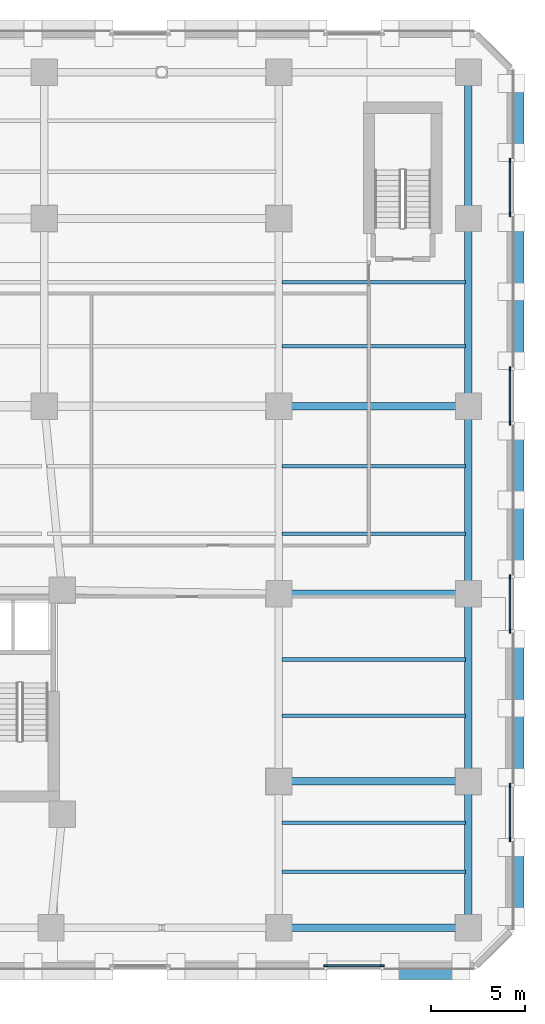
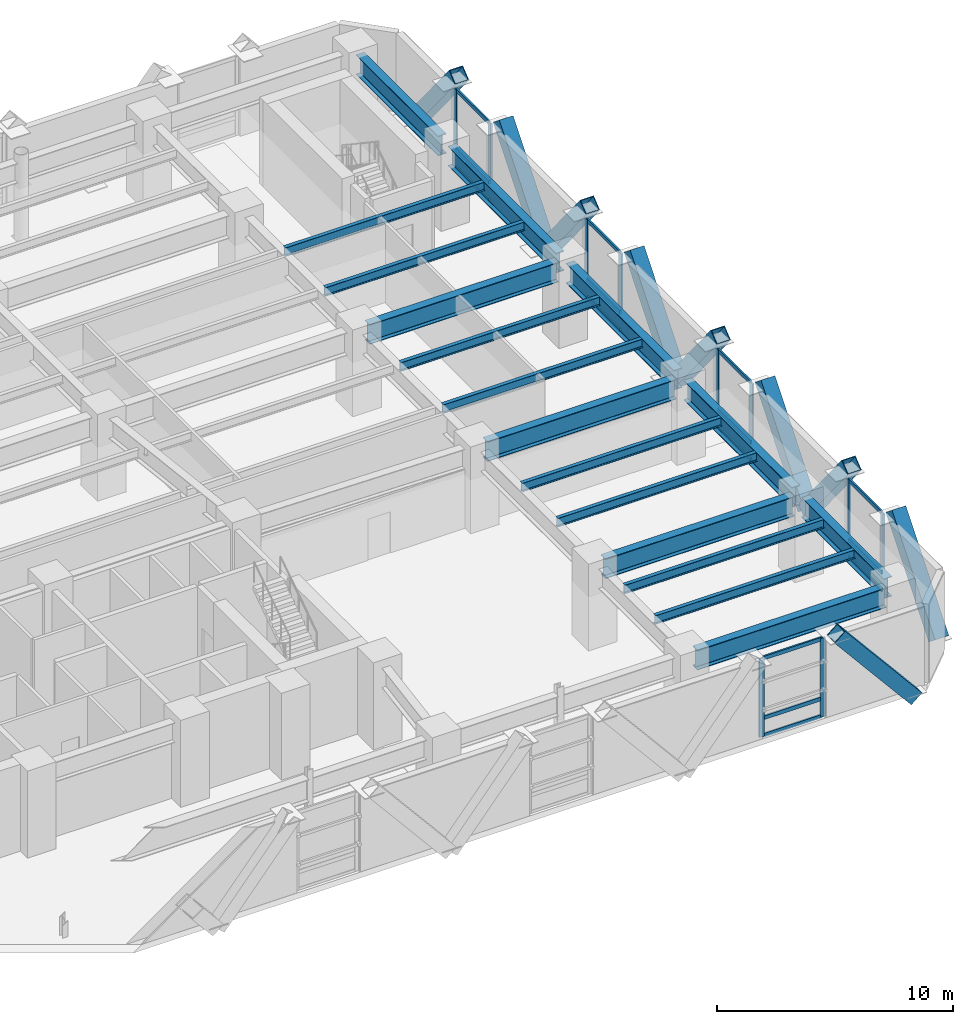
# One storey, part 10 of 26: 34 members, 17 beams, 5 elements without a shape of their own.
"""IFC4 building model written with IfcOpenShell, lengths in metres."""

from ifc_helpers import new_model, si_unit, direction, frame, origin, origin_2d, place, context, subcontext, project, spatial, rectangle, hollow_rectangle, i_section, extrude, material, material_profile, profile_set, type_object, element, aggregate, save


model = new_model("IFC4")

# Units and contexts
model_context = context("Model", 3, precision=1e-05, world=origin(), true_north=direction((0.0, 1.0)))
body_context = subcontext(model_context, "Body", "Model", "MODEL_VIEW")
ifc_project = project(units=[si_unit("LENGTHUNIT", "METRE"), si_unit("AREAUNIT", "SQUARE_METRE"), si_unit("VOLUMEUNIT", "CUBIC_METRE"), si_unit("PLANEANGLEUNIT", "RADIAN"), si_unit("MASSUNIT", "GRAM", prefix="KILO")], contexts=[model_context])

# Site, building, storey
site_placement = place(None, origin())
site = spatial("IfcSite", under=ifc_project, at=site_placement, CompositionType="ELEMENT")
building_placement = place(site_placement, origin())
building = spatial("IfcBuilding", under=site, at=building_placement, Name="Quenlor Broadcast Tower", CompositionType="ELEMENT")
storey_placement = place(building_placement, frame((0.0, 0.0, 18.5)))
storey = spatial("IfcBuildingStorey", under=building, at=storey_placement, Name="L04", CompositionType="ELEMENT", Elevation=18.5)

# Curtain wall, members
ifc_material_1 = material(Name="Architectural Terracotta and Low-E Glazing", Category="masonry")
curtain_wall_type = type_object("IfcCurtainWallType", Name="Station Concourse and Crown Terracotta Curtain Wall", PredefinedType="NOTDEFINED", material=ifc_material_1)
curtain_wall_1_placement = place(storey_placement, origin())
curtain_wall_1 = element("IfcCurtainWall", 1, at=curtain_wall_1_placement, inside=storey, type_object=curtain_wall_type, Name="L04 Curtain Wall CW6 (L04-S-FULL-G1)", PredefinedType="NOTDEFINED")
ifc_material_2 = material(Name="Aluminium 6063-T6", Category="aluminium")
ifc_material_profile_1 = material_profile(ifc_material_2, rectangle(XDim=0.08203125, YDim=0.239990234375, at=origin_2d()))
ifc_profile_set_1 = profile_set([ifc_material_profile_1], Name="Aluminium 6063-T6 MULL82x240")
member_type_1 = type_object("IfcMemberType", Name="CW6 Aluminium Mullion MULL_CW6", PredefinedType="MULLION", material=ifc_profile_set_1)
member_1_placement = place(storey_placement, frame((29.993896484375, -24.820068359375, 0.0), z_axis=(0.0, 0.0, 1.0), x_axis=(0.0, -1.0, 0.0)))
member_1 = element("IfcMember", 2, at=member_1_placement, type_object=member_type_1, Name="CW6 mullion 1", PredefinedType="MULLION", context=body_context, shape_type="SweptSolid", body=[
    extrude(rectangle(XDim=0.08203125, YDim=0.239990234375, at=origin_2d()), origin(), (0.0, 0.0, 1.0), 4.080078125),
])
member_2_placement = place(storey_placement, frame((27.006103515625, -24.820068359375, 0.0), z_axis=(0.0, 0.0, 1.0), x_axis=(0.0, -1.0, 0.0)))
member_2 = element("IfcMember", 3, at=member_2_placement, type_object=member_type_1, Name="CW6 mullion 2", PredefinedType="MULLION", context=body_context, shape_type="SweptSolid", body=[
    extrude(rectangle(XDim=0.08203125, YDim=0.239990234375, at=origin_2d()), origin(), (0.0, 0.0, 1.0), 4.080078125),
])

curtain_wall_2_placement = place(storey_placement, origin())
curtain_wall_2 = element("IfcCurtainWall", 4, at=curtain_wall_2_placement, inside=storey, type_object=curtain_wall_type, Name="L04 Curtain Wall CW6 (L04-E-FULL-G1)", PredefinedType="NOTDEFINED")
member_3_placement = place(storey_placement, frame((36.820068359375, 18.093505859375, 0.0), z_axis=(0.0, 0.0, 1.0), x_axis=(1.0, 0.0, 0.0)))
member_3 = element("IfcMember", 5, at=member_3_placement, type_object=member_type_1, Name="CW6 mullion 1", PredefinedType="MULLION", context=body_context, shape_type="SweptSolid", body=[
    extrude(rectangle(XDim=0.08203125, YDim=0.239990234375, at=origin_2d()), origin(), (0.0, 0.0, 1.0), 4.080078125),
])
member_4_placement = place(storey_placement, frame((36.820068359375, 15.206298828125, 0.0), z_axis=(0.0, 0.0, 1.0), x_axis=(1.0, 0.0, 0.0)))
member_4 = element("IfcMember", 6, at=member_4_placement, type_object=member_type_1, Name="CW6 mullion 2", PredefinedType="MULLION", context=body_context, shape_type="SweptSolid", body=[
    extrude(rectangle(XDim=0.08203125, YDim=0.239990234375, at=origin_2d()), origin(), (0.0, 0.0, 1.0), 4.080078125),
])

curtain_wall_3_placement = place(storey_placement, origin())
curtain_wall_3 = element("IfcCurtainWall", 7, at=curtain_wall_3_placement, inside=storey, type_object=curtain_wall_type, Name="L04 Curtain Wall CW6 (L04-E-FULL-G2)", PredefinedType="NOTDEFINED")
member_5_placement = place(storey_placement, frame((36.820068359375, 6.99365234375, 0.0), z_axis=(0.0, 0.0, 1.0), x_axis=(1.0, 0.0, 0.0)))
member_5 = element("IfcMember", 8, at=member_5_placement, type_object=member_type_1, Name="CW6 mullion 1", PredefinedType="MULLION", context=body_context, shape_type="SweptSolid", body=[
    extrude(rectangle(XDim=0.08203125, YDim=0.239990234375, at=origin_2d()), origin(), (0.0, 0.0, 1.0), 4.080078125),
])
member_6_placement = place(storey_placement, frame((36.820068359375, 4.1064453125, 0.0), z_axis=(0.0, 0.0, 1.0), x_axis=(1.0, 0.0, 0.0)))
member_6 = element("IfcMember", 9, at=member_6_placement, type_object=member_type_1, Name="CW6 mullion 2", PredefinedType="MULLION", context=body_context, shape_type="SweptSolid", body=[
    extrude(rectangle(XDim=0.08203125, YDim=0.239990234375, at=origin_2d()), origin(), (0.0, 0.0, 1.0), 4.080078125),
])

curtain_wall_4_placement = place(storey_placement, origin())
curtain_wall_4 = element("IfcCurtainWall", 10, at=curtain_wall_4_placement, inside=storey, type_object=curtain_wall_type, Name="L04 Curtain Wall CW6 (L04-E-FULL-G3)", PredefinedType="NOTDEFINED")
member_7_placement = place(storey_placement, frame((36.820068359375, -4.1064453125, 0.0), z_axis=(0.0, 0.0, 1.0), x_axis=(1.0, 0.0, 0.0)))
member_7 = element("IfcMember", 11, at=member_7_placement, type_object=member_type_1, Name="CW6 mullion 1", PredefinedType="MULLION", context=body_context, shape_type="SweptSolid", body=[
    extrude(rectangle(XDim=0.08203125, YDim=0.239990234375, at=origin_2d()), origin(), (0.0, 0.0, 1.0), 4.080078125),
])
member_8_placement = place(storey_placement, frame((36.820068359375, -6.99365234375, 0.0), z_axis=(0.0, 0.0, 1.0), x_axis=(1.0, 0.0, 0.0)))
member_8 = element("IfcMember", 12, at=member_8_placement, type_object=member_type_1, Name="CW6 mullion 2", PredefinedType="MULLION", context=body_context, shape_type="SweptSolid", body=[
    extrude(rectangle(XDim=0.08203125, YDim=0.239990234375, at=origin_2d()), origin(), (0.0, 0.0, 1.0), 4.080078125),
])

curtain_wall_5_placement = place(storey_placement, origin())
curtain_wall_5 = element("IfcCurtainWall", 13, at=curtain_wall_5_placement, inside=storey, type_object=curtain_wall_type, Name="L04 Curtain Wall CW6 (L04-E-FULL-G4)", PredefinedType="NOTDEFINED")
member_9_placement = place(storey_placement, frame((36.820068359375, -15.206298828125, 0.0), z_axis=(0.0, 0.0, 1.0), x_axis=(1.0, 0.0, 0.0)))
member_9 = element("IfcMember", 14, at=member_9_placement, type_object=member_type_1, Name="CW6 mullion 1", PredefinedType="MULLION", context=body_context, shape_type="SweptSolid", body=[
    extrude(rectangle(XDim=0.08203125, YDim=0.239990234375, at=origin_2d()), origin(), (0.0, 0.0, 1.0), 4.080078125),
])
member_10_placement = place(storey_placement, frame((36.820068359375, -18.093505859375, 0.0), z_axis=(0.0, 0.0, 1.0), x_axis=(1.0, 0.0, 0.0)))
member_10 = element("IfcMember", 15, at=member_10_placement, type_object=member_type_1, Name="CW6 mullion 2", PredefinedType="MULLION", context=body_context, shape_type="SweptSolid", body=[
    extrude(rectangle(XDim=0.08203125, YDim=0.239990234375, at=origin_2d()), origin(), (0.0, 0.0, 1.0), 4.080078125),
])

# Member
ifc_material_3 = material(Name="Aluminium 6063-T6", Category="aluminium")
ifc_material_profile_2 = material_profile(ifc_material_3, rectangle(XDim=0.08203125, YDim=0.195068359375, at=origin_2d()))
ifc_profile_set_2 = profile_set([ifc_material_profile_2], Name="Aluminium 6063-T6 TRAN82x195")
member_type_2 = type_object("IfcMemberType", Name="CW6 Aluminium Transom TRAN_CW6", PredefinedType="USERDEFINED", material=ifc_profile_set_2)
member_11_placement = place(storey_placement, frame((29.952880859375, -24.820068359375, 0.041015625), z_axis=(-1.0, 0.0, 0.0), x_axis=(0.0, -1.0, 0.0)))
member_11 = element("IfcMember", 16, at=member_11_placement, type_object=member_type_2, Name="CW6 transom 1.1", ObjectType="TRANSOM", PredefinedType="USERDEFINED", context=body_context, shape_type="SweptSolid", body=[
    extrude(rectangle(XDim=0.08203125, YDim=0.195068359375, at=origin_2d()), origin(), (0.0, 0.0, 1.0), 2.90576171875),
])

member_12_placement = place(storey_placement, frame((29.952880859375, -24.820068359375, 0.949951171875), z_axis=(-1.0, 0.0, 0.0), x_axis=(0.0, -1.0, 0.0)))
member_12 = element("IfcMember", 17, at=member_12_placement, type_object=member_type_2, Name="CW6 transom 1.2", ObjectType="TRANSOM", PredefinedType="USERDEFINED", context=body_context, shape_type="SweptSolid", body=[
    extrude(rectangle(XDim=0.08203125, YDim=0.195068359375, at=origin_2d()), origin(), (0.0, 0.0, 1.0), 2.90576171875),
])

member_13_placement = place(storey_placement, frame((29.952880859375, -24.820068359375, 4.0390625), z_axis=(-1.0, 0.0, 0.0), x_axis=(0.0, -1.0, 0.0)))
member_13 = element("IfcMember", 18, at=member_13_placement, type_object=member_type_2, Name="CW6 transom 1.3", ObjectType="TRANSOM", PredefinedType="USERDEFINED", context=body_context, shape_type="SweptSolid", body=[
    extrude(rectangle(XDim=0.08203125, YDim=0.195068359375, at=origin_2d()), origin(), (0.0, 0.0, 1.0), 2.90576171875),
])

aggregate(curtain_wall_1, [member_1, member_2, member_11, member_12, member_13])

member_14_placement = place(storey_placement, frame((36.820068359375, 18.052490234375, 0.041015625), z_axis=(0.0, -1.0, 0.0), x_axis=(1.0, 0.0, 0.0)))
member_14 = element("IfcMember", 19, at=member_14_placement, type_object=member_type_2, Name="CW6 transom 1.1", ObjectType="TRANSOM", PredefinedType="USERDEFINED", context=body_context, shape_type="SweptSolid", body=[
    extrude(rectangle(XDim=0.08203125, YDim=0.195068359375, at=origin_2d()), origin(), (0.0, 0.0, 1.0), 2.80517578125),
])

member_15_placement = place(storey_placement, frame((36.820068359375, 18.052490234375, 0.949951171875), z_axis=(0.0, -1.0, 0.0), x_axis=(1.0, 0.0, 0.0)))
member_15 = element("IfcMember", 20, at=member_15_placement, type_object=member_type_2, Name="CW6 transom 1.2", ObjectType="TRANSOM", PredefinedType="USERDEFINED", context=body_context, shape_type="SweptSolid", body=[
    extrude(rectangle(XDim=0.08203125, YDim=0.195068359375, at=origin_2d()), origin(), (0.0, 0.0, 1.0), 2.80517578125),
])

member_16_placement = place(storey_placement, frame((36.820068359375, 18.052490234375, 4.0390625), z_axis=(0.0, -1.0, 0.0), x_axis=(1.0, 0.0, 0.0)))
member_16 = element("IfcMember", 21, at=member_16_placement, type_object=member_type_2, Name="CW6 transom 1.3", ObjectType="TRANSOM", PredefinedType="USERDEFINED", context=body_context, shape_type="SweptSolid", body=[
    extrude(rectangle(XDim=0.08203125, YDim=0.195068359375, at=origin_2d()), origin(), (0.0, 0.0, 1.0), 2.80517578125),
])

aggregate(curtain_wall_2, [member_3, member_4, member_14, member_15, member_16])

member_17_placement = place(storey_placement, frame((36.820068359375, 6.95263671875, 0.041015625), z_axis=(0.0, -1.0, 0.0), x_axis=(1.0, 0.0, 0.0)))
member_17 = element("IfcMember", 22, at=member_17_placement, type_object=member_type_2, Name="CW6 transom 1.1", ObjectType="TRANSOM", PredefinedType="USERDEFINED", context=body_context, shape_type="SweptSolid", body=[
    extrude(rectangle(XDim=0.08203125, YDim=0.195068359375, at=origin_2d()), origin(), (0.0, 0.0, 1.0), 2.80517578125),
])

member_18_placement = place(storey_placement, frame((36.820068359375, 6.95263671875, 0.949951171875), z_axis=(0.0, -1.0, 0.0), x_axis=(1.0, 0.0, 0.0)))
member_18 = element("IfcMember", 23, at=member_18_placement, type_object=member_type_2, Name="CW6 transom 1.2", ObjectType="TRANSOM", PredefinedType="USERDEFINED", context=body_context, shape_type="SweptSolid", body=[
    extrude(rectangle(XDim=0.08203125, YDim=0.195068359375, at=origin_2d()), origin(), (0.0, 0.0, 1.0), 2.80517578125),
])

member_19_placement = place(storey_placement, frame((36.820068359375, 6.95263671875, 4.0390625), z_axis=(0.0, -1.0, 0.0), x_axis=(1.0, 0.0, 0.0)))
member_19 = element("IfcMember", 24, at=member_19_placement, type_object=member_type_2, Name="CW6 transom 1.3", ObjectType="TRANSOM", PredefinedType="USERDEFINED", context=body_context, shape_type="SweptSolid", body=[
    extrude(rectangle(XDim=0.08203125, YDim=0.195068359375, at=origin_2d()), origin(), (0.0, 0.0, 1.0), 2.80517578125),
])

aggregate(curtain_wall_3, [member_5, member_6, member_17, member_18, member_19])

member_20_placement = place(storey_placement, frame((36.820068359375, -4.1474609375, 0.041015625), z_axis=(0.0, -1.0, 0.0), x_axis=(1.0, 0.0, 0.0)))
member_20 = element("IfcMember", 25, at=member_20_placement, type_object=member_type_2, Name="CW6 transom 1.1", ObjectType="TRANSOM", PredefinedType="USERDEFINED", context=body_context, shape_type="SweptSolid", body=[
    extrude(rectangle(XDim=0.08203125, YDim=0.195068359375, at=origin_2d()), origin(), (0.0, 0.0, 1.0), 2.80517578125),
])

member_21_placement = place(storey_placement, frame((36.820068359375, -4.1474609375, 0.949951171875), z_axis=(0.0, -1.0, 0.0), x_axis=(1.0, 0.0, 0.0)))
member_21 = element("IfcMember", 26, at=member_21_placement, type_object=member_type_2, Name="CW6 transom 1.2", ObjectType="TRANSOM", PredefinedType="USERDEFINED", context=body_context, shape_type="SweptSolid", body=[
    extrude(rectangle(XDim=0.08203125, YDim=0.195068359375, at=origin_2d()), origin(), (0.0, 0.0, 1.0), 2.80517578125),
])

member_22_placement = place(storey_placement, frame((36.820068359375, -4.1474609375, 4.0390625), z_axis=(0.0, -1.0, 0.0), x_axis=(1.0, 0.0, 0.0)))
member_22 = element("IfcMember", 27, at=member_22_placement, type_object=member_type_2, Name="CW6 transom 1.3", ObjectType="TRANSOM", PredefinedType="USERDEFINED", context=body_context, shape_type="SweptSolid", body=[
    extrude(rectangle(XDim=0.08203125, YDim=0.195068359375, at=origin_2d()), origin(), (0.0, 0.0, 1.0), 2.80517578125),
])

aggregate(curtain_wall_4, [member_7, member_8, member_20, member_21, member_22])

member_23_placement = place(storey_placement, frame((36.820068359375, -15.247314453125, 0.041015625), z_axis=(0.0, -1.0, 0.0), x_axis=(1.0, 0.0, 0.0)))
member_23 = element("IfcMember", 28, at=member_23_placement, type_object=member_type_2, Name="CW6 transom 1.1", ObjectType="TRANSOM", PredefinedType="USERDEFINED", context=body_context, shape_type="SweptSolid", body=[
    extrude(rectangle(XDim=0.08203125, YDim=0.195068359375, at=origin_2d()), origin(), (0.0, 0.0, 1.0), 2.80517578125),
])

member_24_placement = place(storey_placement, frame((36.820068359375, -15.247314453125, 0.949951171875), z_axis=(0.0, -1.0, 0.0), x_axis=(1.0, 0.0, 0.0)))
member_24 = element("IfcMember", 29, at=member_24_placement, type_object=member_type_2, Name="CW6 transom 1.2", ObjectType="TRANSOM", PredefinedType="USERDEFINED", context=body_context, shape_type="SweptSolid", body=[
    extrude(rectangle(XDim=0.08203125, YDim=0.195068359375, at=origin_2d()), origin(), (0.0, 0.0, 1.0), 2.80517578125),
])

member_25_placement = place(storey_placement, frame((36.820068359375, -15.247314453125, 4.0390625), z_axis=(0.0, -1.0, 0.0), x_axis=(1.0, 0.0, 0.0)))
member_25 = element("IfcMember", 30, at=member_25_placement, type_object=member_type_2, Name="CW6 transom 1.3", ObjectType="TRANSOM", PredefinedType="USERDEFINED", context=body_context, shape_type="SweptSolid", body=[
    extrude(rectangle(XDim=0.08203125, YDim=0.195068359375, at=origin_2d()), origin(), (0.0, 0.0, 1.0), 2.80517578125),
])

aggregate(curtain_wall_5, [member_9, member_10, member_23, member_24, member_25])

# Members
ifc_material_4 = material(Name="Steel S355", Category="steel")
ifc_material_profile_3 = material_profile(ifc_material_4, hollow_rectangle(XDim=0.679931640625, YDim=0.679931640625, WallThickness=0.034912109375, at=origin_2d()))
ifc_profile_set_3 = profile_set([ifc_material_profile_3], Name="Steel S355 RHS680x680x35")
member_type_3 = type_object("IfcMemberType", Name="Perimeter Diagonal Lattice Brace Z1 Steel S355 RHS680x35", PredefinedType="BRACE", material=ifc_profile_set_3)
member_26_placement = place(storey_placement, frame((34.17724609375, -25.215087890625, -0.1201171875), z_axis=(-0.640626831312, 0.0, 0.767852370578), x_axis=(0.0, -1.0, 0.0)))
element("IfcMember", 31, at=member_26_placement, inside=storey, type_object=member_type_3, Name="L04 Podium Diamond Lattice S-P1S", PredefinedType="BRACE", context=body_context, shape_type="SweptSolid", body=[
    extrude(hollow_rectangle(XDim=0.679931640625, YDim=0.679931640625, WallThickness=0.034912109375, at=origin_2d()), origin(), (0.0, 0.0, 1.0), 5.860595703125),
])
for number, where, z_axis, x_axis, name in (
    (32, (37.215087890625, 22.177734375, -0.1201171875), (0.0, -0.630516526394, 0.776175824117), (1.0, 0.0, 0.0), "L04 Podium Diamond Lattice E-P1S"),
    (33, (37.215087890625, 11.122314453125, -0.1201171875), (0.0, 0.630516526394, 0.776175824117), (-1.0, 0.0, 0.0), "L04 Podium Diamond Lattice E-P1B"),
):
    element("IfcMember", number, at=place(storey_placement, frame(where, z_axis=z_axis, x_axis=x_axis)), inside=storey, type_object=member_type_3, Name=name, PredefinedType="BRACE", context=body_context, shape_type="SweptSolid", body=[
        extrude(hollow_rectangle(XDim=0.679931640625, YDim=0.679931640625, WallThickness=0.034912109375, at=origin_2d()), origin(), (0.0, 0.0, 1.0), 5.797607421875),
    ])
member_27_placement = place(storey_placement, frame((37.215087890625, 11.077880859375, -0.1201171875), z_axis=(0.0, -0.630541894648, 0.776155215851), x_axis=(1.0, 0.0, 0.0)))
element("IfcMember", 34, at=member_27_placement, inside=storey, type_object=member_type_3, Name="L04 Podium Diamond Lattice E-P2S", PredefinedType="BRACE", context=body_context, shape_type="SweptSolid", body=[
    extrude(hollow_rectangle(XDim=0.679931640625, YDim=0.679931640625, WallThickness=0.034912109375, at=origin_2d()), origin(), (0.0, 0.0, 1.0), 5.7978515625),
])
for number, where, z_axis, x_axis, name in (
    (35, (37.215087890625, 0.022216796875, -0.1201171875), (0.0, 0.630516526394, 0.776175824117), (-1.0, 0.0, 0.0), "L04 Podium Diamond Lattice E-P2B"),
    (36, (37.215087890625, -0.022216796875, -0.1201171875), (0.0, -0.630516526394, 0.776175824117), (1.0, 0.0, 0.0), "L04 Podium Diamond Lattice E-P3S"),
):
    element("IfcMember", number, at=place(storey_placement, frame(where, z_axis=z_axis, x_axis=x_axis)), inside=storey, type_object=member_type_3, Name=name, PredefinedType="BRACE", context=body_context, shape_type="SweptSolid", body=[
        extrude(hollow_rectangle(XDim=0.679931640625, YDim=0.679931640625, WallThickness=0.034912109375, at=origin_2d()), origin(), (0.0, 0.0, 1.0), 5.797607421875),
    ])
member_28_placement = place(storey_placement, frame((37.215087890625, -11.077880859375, -0.1201171875), z_axis=(0.0, 0.630541894648, 0.776155215851), x_axis=(-1.0, 0.0, 0.0)))
element("IfcMember", 37, at=member_28_placement, inside=storey, type_object=member_type_3, Name="L04 Podium Diamond Lattice E-P3B", PredefinedType="BRACE", context=body_context, shape_type="SweptSolid", body=[
    extrude(hollow_rectangle(XDim=0.679931640625, YDim=0.679931640625, WallThickness=0.034912109375, at=origin_2d()), origin(), (0.0, 0.0, 1.0), 5.7978515625),
])
for number, where, z_axis, x_axis, name in (
    (38, (37.215087890625, -11.122314453125, -0.1201171875), (0.0, -0.630516526394, 0.776175824117), (1.0, 0.0, 0.0), "L04 Podium Diamond Lattice E-P4S"),
    (39, (37.215087890625, -22.177734375, -0.1201171875), (0.0, 0.630516526394, 0.776175824117), (-1.0, 0.0, 0.0), "L04 Podium Diamond Lattice E-P4B"),
):
    element("IfcMember", number, at=place(storey_placement, frame(where, z_axis=z_axis, x_axis=x_axis)), inside=storey, type_object=member_type_3, Name=name, PredefinedType="BRACE", context=body_context, shape_type="SweptSolid", body=[
        extrude(hollow_rectangle(XDim=0.679931640625, YDim=0.679931640625, WallThickness=0.034912109375, at=origin_2d()), origin(), (0.0, 0.0, 1.0), 5.797607421875),
    ])

# Beams
ifc_material_5 = material(Name="Steel S355", Category="steel")
ifc_material_profile_4 = material_profile(ifc_material_5, i_section(OverallWidth=0.39990234375, OverallDepth=1.02392578125, WebThickness=0.01611328125, FlangeThickness=0.031982421875, FilletRadius=0.01611328125, at=origin_2d()))
ifc_profile_set_4 = profile_set([ifc_material_profile_4], Name="Steel S355 1000WB322")
beam_type_1 = type_object("IfcBeamType", Name="Podium Concourse Girder Steel S355 1000WB322", PredefinedType="BEAM", material=ifc_profile_set_4)
for number, where, z_axis, x_axis, name in (
    (40, (24.919921875, -22.800048828125, 3.568115234375), (1.0, 0.0, 0.0), (0.0, 1.0, 0.0), "L04 Podium Girder 9"),
    (41, (24.919921875, -15.0, 3.568115234375), (1.0, 0.0, 0.0), (0.0, 1.0, 0.0), "L04 Podium Girder 11"),
    (42, (24.919921875, -5.0, 3.568115234375), (1.0, 0.0, 0.0), (0.0, 1.0, 0.0), "L04 Podium Girder 13"),
    (43, (24.919921875, 5.0, 3.568115234375), (1.0, 0.0, 0.0), (0.0, 1.0, 0.0), "L04 Podium Girder 18"),
):
    element("IfcBeam", number, at=place(storey_placement, frame(where, z_axis=z_axis, x_axis=x_axis)), inside=storey, type_object=beam_type_1, Name=name, PredefinedType="BEAM", context=body_context, shape_type="SweptSolid", body=[
        extrude(i_section(OverallWidth=0.39990234375, OverallDepth=1.02392578125, WebThickness=0.01611328125, FlangeThickness=0.031982421875, FilletRadius=0.01611328125, at=origin_2d()), origin(), (0.0, 0.0, 1.0), 9.260009765625),
    ])
beam_1_placement = place(storey_placement, frame((34.60009765625, -22.3798828125, 3.568115234375), z_axis=(0.0, 1.0, 0.0), x_axis=(-1.0, 0.0, 0.0)))
element("IfcBeam", 44, at=beam_1_placement, inside=storey, type_object=beam_type_1, Name="L04 Podium Girder 49", PredefinedType="BEAM", context=body_context, shape_type="SweptSolid", body=[
    extrude(i_section(OverallWidth=0.39990234375, OverallDepth=1.02392578125, WebThickness=0.01611328125, FlangeThickness=0.031982421875, FilletRadius=0.01611328125, at=origin_2d()), origin(), (0.0, 0.0, 1.0), 6.9599609375),
])
for number, where, z_axis, x_axis, name in (
    (45, (34.60009765625, -14.580078125, 3.568115234375), (0.0, 1.0, 0.0), (-1.0, 0.0, 0.0), "L04 Podium Girder 50"),
    (46, (34.60009765625, -4.580078125, 3.568115234375), (0.0, 1.0, 0.0), (-1.0, 0.0, 0.0), "L04 Podium Girder 51"),
    (47, (34.60009765625, 5.419921875, 3.568115234375), (0.0, 1.0, 0.0), (-1.0, 0.0, 0.0), "L04 Podium Girder 52"),
):
    element("IfcBeam", number, at=place(storey_placement, frame(where, z_axis=z_axis, x_axis=x_axis)), inside=storey, type_object=beam_type_1, Name=name, PredefinedType="BEAM", context=body_context, shape_type="SweptSolid", body=[
        extrude(i_section(OverallWidth=0.39990234375, OverallDepth=1.02392578125, WebThickness=0.01611328125, FlangeThickness=0.031982421875, FilletRadius=0.01611328125, at=origin_2d()), origin(), (0.0, 0.0, 1.0), 9.16015625),
    ])
beam_2_placement = place(storey_placement, frame((34.60009765625, 15.419921875, 3.568115234375), z_axis=(0.0, 1.0, 0.0), x_axis=(-1.0, 0.0, 0.0)))
element("IfcBeam", 48, at=beam_2_placement, inside=storey, type_object=beam_type_1, Name="L04 Podium Girder 53", PredefinedType="BEAM", context=body_context, shape_type="SweptSolid", body=[
    extrude(i_section(OverallWidth=0.39990234375, OverallDepth=1.02392578125, WebThickness=0.01611328125, FlangeThickness=0.031982421875, FilletRadius=0.01611328125, at=origin_2d()), origin(), (0.0, 0.0, 1.0), 6.9599609375),
])
ifc_material_6 = material(Name="Steel S355", Category="steel")
ifc_material_profile_5 = material_profile(ifc_material_6, i_section(OverallWidth=0.18994140625, OverallDepth=0.453857421875, WebThickness=0.008544921875, FlangeThickness=0.0126953125, FilletRadius=0.011474609375, at=origin_2d()))
ifc_profile_set_5 = profile_set([ifc_material_profile_5], Name="Steel S355 460UB67.1")
beam_type_2 = type_object("IfcBeamType", Name="Podium Floor Joist Steel S355 460UB67.1", PredefinedType="JOIST", material=ifc_profile_set_5)
for number, where, z_axis, x_axis, name in (
    (49, (24.659912109375, 8.199951171875, 3.85302734375), (1.0, 0.0, 0.0), (0.0, 1.0, 0.0), "L04 Podium Floor Joist 5"),
    (50, (24.659912109375, 11.60009765625, 3.85302734375), (1.0, 0.0, 0.0), (0.0, 1.0, 0.0), "L04 Podium Floor Joist 10"),
    (51, (24.659912109375, -19.800048828125, 3.85302734375), (1.0, 0.0, 0.0), (0.0, 1.0, 0.0), "L04 Podium Floor Joist 22"),
    (52, (24.659912109375, -17.199951171875, 3.85302734375), (1.0, 0.0, 0.0), (0.0, 1.0, 0.0), "L04 Podium Floor Joist 24"),
    (53, (24.659912109375, -11.5, 3.85302734375), (1.0, 0.0, 0.0), (0.0, 1.0, 0.0), "L04 Podium Floor Joist 26"),
    (54, (24.659912109375, -8.5, 3.85302734375), (1.0, 0.0, 0.0), (0.0, 1.0, 0.0), "L04 Podium Floor Joist 28"),
    (55, (24.659912109375, -1.800048828125, 3.85302734375), (1.0, 0.0, 0.0), (0.0, 1.0, 0.0), "L04 Podium Floor Joist 30"),
    (56, (24.659912109375, 1.800048828125, 3.85302734375), (1.0, 0.0, 0.0), (0.0, 1.0, 0.0), "L04 Podium Floor Joist 32"),
):
    element("IfcBeam", number, at=place(storey_placement, frame(where, z_axis=z_axis, x_axis=x_axis)), inside=storey, type_object=beam_type_2, Name=name, PredefinedType="JOIST", context=body_context, shape_type="SweptSolid", body=[
        extrude(i_section(OverallWidth=0.18994140625, OverallDepth=0.453857421875, WebThickness=0.008544921875, FlangeThickness=0.0126953125, FilletRadius=0.011474609375, at=origin_2d()), origin(), (0.0, 0.0, 1.0), 9.780029296875),
    ])

save(model, "model.ifc")
